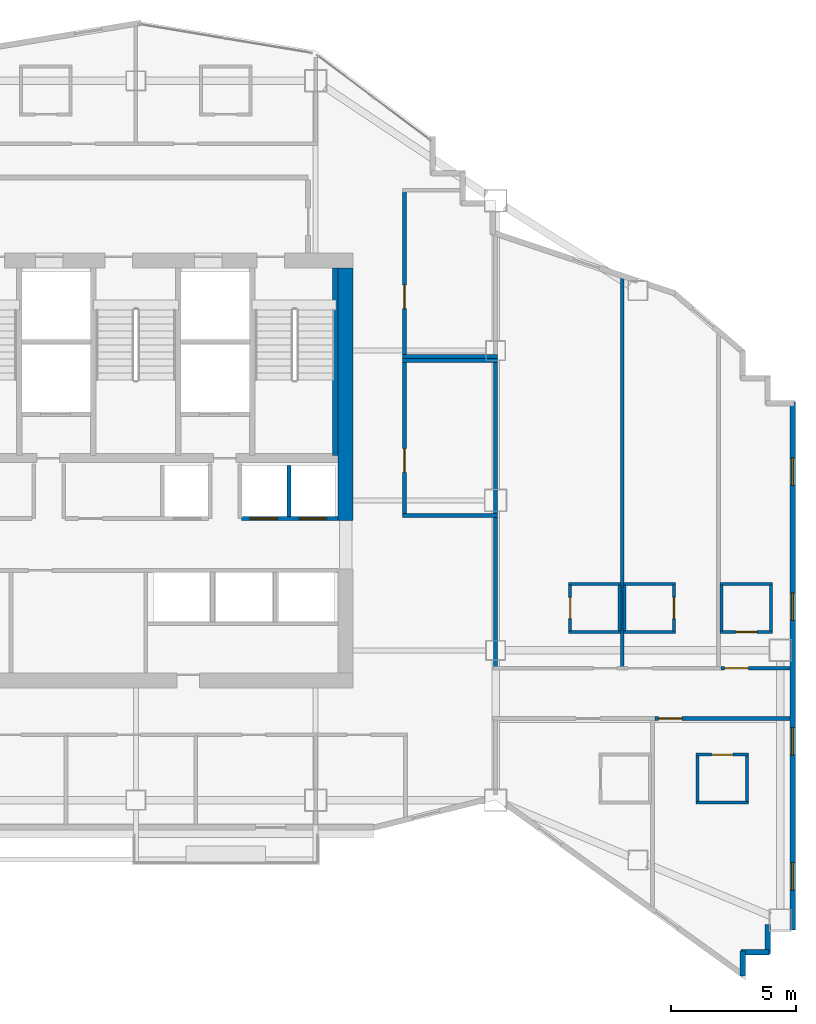
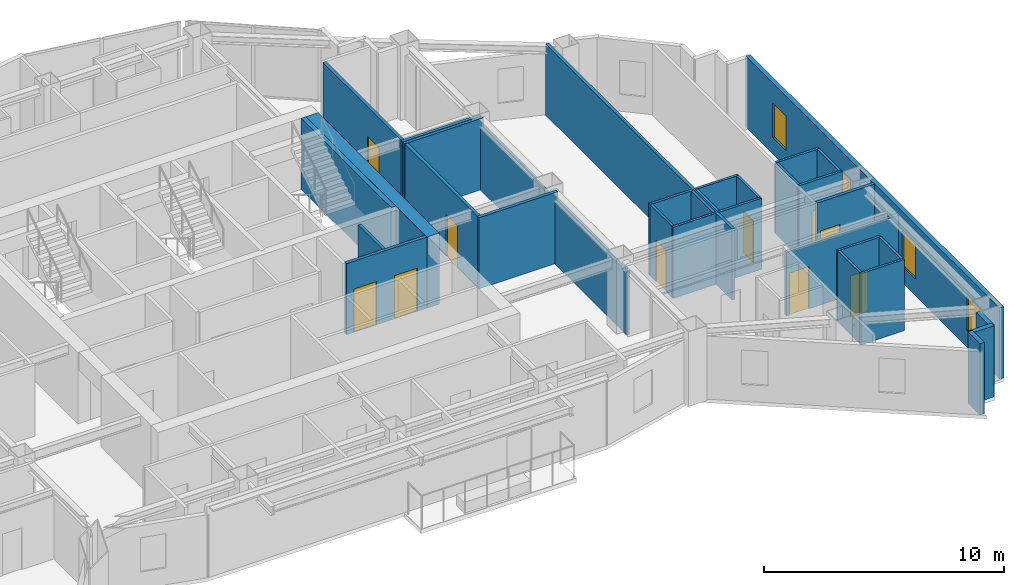
# One storey, part 8 of 11: 34 walls, 10 doors, 4 windows, 14 openings.
"""IFC4 building model written with IfcOpenShell, lengths in metres."""

from ifc_helpers import new_model, si_unit, direction, frame, frame_2d, origin, place, context, subcontext, project, spatial, rectangle, extrude, material, layer, layer_set, type_object, element, fill, save


model = new_model("IFC4")

# Units and contexts
model_context = context("Model", 3, precision=1e-05, world=origin(), true_north=direction((0.0, 1.0)))
body_context = subcontext(model_context, "Body", "Model", "MODEL_VIEW")
ifc_project = project(units=[si_unit("LENGTHUNIT", "METRE"), si_unit("AREAUNIT", "SQUARE_METRE"), si_unit("VOLUMEUNIT", "CUBIC_METRE"), si_unit("PLANEANGLEUNIT", "RADIAN"), si_unit("MASSUNIT", "GRAM", prefix="KILO")], contexts=[model_context])

# Site, building, storey
site_placement = place(None, origin())
site = spatial("IfcSite", under=ifc_project, at=site_placement, CompositionType="ELEMENT")
building_placement = place(site_placement, origin())
building = spatial("IfcBuilding", under=site, at=building_placement, Name="Haolan Belvedere Tower", CompositionType="ELEMENT")
storey_placement = place(building_placement, frame((0.0, 0.0, 211.60009765625)))
storey = spatial("IfcBuildingStorey", under=building, at=storey_placement, Name="L53", CompositionType="ELEMENT", Elevation=211.60009765625)

# Walls
ifc_material_1 = material(Name="Concrete C60/75", Category="concrete")
ifc_layer_1 = layer(ifc_material_1, 0.60009765625, Name="Concrete C60/75")
ifc_layer_set_1 = layer_set([ifc_layer_1], Name="Concrete C60/75")
wall_type_1 = type_object("IfcWallType", Name="WL-CORE-600", PredefinedType="SHEAR", material=ifc_layer_set_1)
wall_1_placement = place(storey_placement, frame((46.800048828125, 32.800048828125, 0.0), z_axis=(0.0, 0.0, 1.0), x_axis=(0.0, 1.0, 0.0)))
element("IfcWall", 1, at=wall_1_placement, inside=storey, type_object=wall_type_1, Name="L53 central core shear wall EN", PredefinedType="SHEAR", context=body_context, shape_type="SweptSolid", body=[
    extrude(rectangle(XDim=10.099853515625, YDim=0.60009765625, at=frame_2d((5.0498046875, 0.0))), origin(), (0.0, 0.0, 1.0), 3.619873046875),
])
ifc_material_2 = material(Name="Precast concrete C40/50", Category="concrete")
ifc_layer_2 = layer(ifc_material_2, 0.219970703125, Name="Precast concrete C40/50")
ifc_layer_set_2 = layer_set([ifc_layer_2], Name="Precast concrete C40/50")
wall_type_2 = type_object("IfcWallType", Name="WL-EXT-220", PredefinedType="SOLIDWALL", material=ifc_layer_set_2)
wall_2_placement = place(storey_placement, frame((62.68994140625, 14.559814453125, 0.0), z_axis=(0.0, 0.0, 1.0), x_axis=(0.0, 1.0, 0.0)))
element("IfcWall", 2, at=wall_2_placement, inside=storey, type_object=wall_type_2, Name="L53 pale-metal exterior spandrel wall 4.1", PredefinedType="SOLIDWALL", context=body_context, shape_type="SweptSolid", body=[
    extrude(rectangle(XDim=1.005126953125, YDim=0.219970703125, at=frame_2d((0.50244140625, 0.0))), origin(), (0.0, 0.0, 1.0), 3.619873046875),
])
wall_3_placement = place(storey_placement, frame((62.635009765625, 15.510009765625, 0.0), z_axis=(0.0, 0.0, 1.0), x_axis=(1.0, 0.0, 0.0)))
element("IfcWall", 3, at=wall_3_placement, inside=storey, type_object=wall_type_2, Name="L53 pale-metal exterior spandrel wall 5.1", PredefinedType="SOLIDWALL", context=body_context, shape_type="SweptSolid", body=[
    extrude(rectangle(XDim=1.110107421875, YDim=0.219970703125, at=frame_2d((0.55517578125, 0.0))), origin(), (0.0, 0.0, 1.0), 3.619873046875),
])
wall_4_placement = place(storey_placement, frame((63.68994140625, 15.455078125, 0.0), z_axis=(0.0, 0.0, 1.0), x_axis=(0.0, 1.0, 0.0)))
element("IfcWall", 4, at=wall_4_placement, inside=storey, type_object=wall_type_2, Name="L53 pale-metal exterior spandrel wall 6.1", PredefinedType="SOLIDWALL", context=body_context, shape_type="SweptSolid", body=[
    extrude(rectangle(XDim=1.1650390625, YDim=0.219970703125, at=frame_2d((0.58251953125, 0.0))), origin(), (0.0, 0.0, 1.0), 3.619873046875),
])

# Wall, openings, windows
wall_5_placement = place(storey_placement, frame((64.68994140625, 16.39990234375, 0.0), z_axis=(0.0, 0.0, 1.0), x_axis=(0.0, 1.0, 0.0)))
wall_5 = element("IfcWall", 5, at=wall_5_placement, inside=storey, type_object=wall_type_2, Name="L53 pale-metal exterior spandrel wall 8.1", PredefinedType="SOLIDWALL", context=body_context, shape_type="SweptSolid", body=[
    extrude(rectangle(XDim=21.14501953125, YDim=0.219970703125, at=frame_2d((10.572509765625, 0.0))), origin(), (0.0, 0.0, 1.0), 3.619873046875),
])
opening_1_placement = place(wall_5_placement, frame((1.60009765625, 0.0, 0.85009765625)))
opening_1 = element("IfcOpeningElement", 6, at=opening_1_placement, cuts=wall_5, Name="Opening W-03", PredefinedType="OPENING", context=body_context, shape_type="SweptSolid", body=[
    extrude(rectangle(XDim=1.10009765625, YDim=1.75, at=frame_2d((0.550048828125, 0.875))), frame((0.0, 0.119873046875, 0.0), z_axis=(0.0, -1.0, 0.0), x_axis=(1.0, 0.0, 0.0)), (0.0, 0.0, 1.0), 0.239990234375),
])
opening_2_placement = place(wall_5_placement, frame((7.0, 0.0, 0.85009765625)))
opening_2 = element("IfcOpeningElement", 7, at=opening_2_placement, cuts=wall_5, Name="Opening W-03", PredefinedType="OPENING", context=body_context, shape_type="SweptSolid", body=[
    extrude(rectangle(XDim=1.10009765625, YDim=1.75, at=frame_2d((0.550048828125, 0.875))), frame((0.0, 0.119873046875, 0.0), z_axis=(0.0, -1.0, 0.0), x_axis=(1.0, 0.0, 0.0)), (0.0, 0.0, 1.0), 0.239990234375),
])
opening_3_placement = place(wall_5_placement, frame((12.39990234375, 0.0, 0.85009765625)))
opening_3 = element("IfcOpeningElement", 8, at=opening_3_placement, cuts=wall_5, Name="Opening W-03", PredefinedType="OPENING", context=body_context, shape_type="SweptSolid", body=[
    extrude(rectangle(XDim=1.10009765625, YDim=1.75, at=frame_2d((0.550048828125, 0.875))), frame((0.0, 0.119873046875, 0.0), z_axis=(0.0, -1.0, 0.0), x_axis=(1.0, 0.0, 0.0)), (0.0, 0.0, 1.0), 0.239990234375),
])
opening_4_placement = place(wall_5_placement, frame((17.800048828125, 0.0, 0.85009765625)))
opening_4 = element("IfcOpeningElement", 9, at=opening_4_placement, cuts=wall_5, Name="Opening W-03", PredefinedType="OPENING", context=body_context, shape_type="SweptSolid", body=[
    extrude(rectangle(XDim=1.10009765625, YDim=1.75, at=frame_2d((0.550048828125, 0.875))), frame((0.0, 0.119873046875, 0.0), z_axis=(0.0, -1.0, 0.0), x_axis=(1.0, 0.0, 0.0)), (0.0, 0.0, 1.0), 0.239990234375),
])
ifc_material_3 = material(Name="Anodised aluminium 6063-T6 and Low-E glass", Category="aluminium")
window_type = type_object("IfcWindowType", Name="WN-DECO-Z3", PartitioningType="SINGLE_PANEL", PredefinedType="WINDOW", material=ifc_material_3)
window_1_placement = place(opening_1_placement, origin())
window_1 = element("IfcWindow", 10, at=window_1_placement, inside=storey, type_object=window_type, Name="L53 Art Deco chevron window 1", OverallHeight=1.75, OverallWidth=1.10009765625, PartitioningType="SINGLE_PANEL", PredefinedType="WINDOW", context=body_context, shape_type="SweptSolid", body=[
    extrude(rectangle(XDim=1.10009765625, YDim=1.75, at=frame_2d((0.550048828125, 0.875))), frame((0.0, 0.030029296875, 0.0), z_axis=(0.0, -1.0, 0.0), x_axis=(1.0, 0.0, 0.0)), (0.0, 0.0, 1.0), 0.06005859375),
])
fill(opening_1, window_1)
window_2_placement = place(opening_2_placement, origin())
window_2 = element("IfcWindow", 11, at=window_2_placement, inside=storey, type_object=window_type, Name="L53 Art Deco chevron window 2", OverallHeight=1.75, OverallWidth=1.10009765625, PartitioningType="SINGLE_PANEL", PredefinedType="WINDOW", context=body_context, shape_type="SweptSolid", body=[
    extrude(rectangle(XDim=1.10009765625, YDim=1.75, at=frame_2d((0.550048828125, 0.875))), frame((0.0, 0.030029296875, 0.0), z_axis=(0.0, -1.0, 0.0), x_axis=(1.0, 0.0, 0.0)), (0.0, 0.0, 1.0), 0.06005859375),
])
fill(opening_2, window_2)
window_3_placement = place(opening_3_placement, origin())
window_3 = element("IfcWindow", 12, at=window_3_placement, inside=storey, type_object=window_type, Name="L53 Art Deco chevron window 3", OverallHeight=1.75, OverallWidth=1.10009765625, PartitioningType="SINGLE_PANEL", PredefinedType="WINDOW", context=body_context, shape_type="SweptSolid", body=[
    extrude(rectangle(XDim=1.10009765625, YDim=1.75, at=frame_2d((0.550048828125, 0.875))), frame((0.0, 0.030029296875, 0.0), z_axis=(0.0, -1.0, 0.0), x_axis=(1.0, 0.0, 0.0)), (0.0, 0.0, 1.0), 0.06005859375),
])
fill(opening_3, window_3)
window_4_placement = place(opening_4_placement, origin())
window_4 = element("IfcWindow", 13, at=window_4_placement, inside=storey, type_object=window_type, Name="L53 Art Deco chevron window 4", OverallHeight=1.75, OverallWidth=1.10009765625, PartitioningType="SINGLE_PANEL", PredefinedType="WINDOW", context=body_context, shape_type="SweptSolid", body=[
    extrude(rectangle(XDim=1.10009765625, YDim=1.75, at=frame_2d((0.550048828125, 0.875))), frame((0.0, 0.030029296875, 0.0), z_axis=(0.0, -1.0, 0.0), x_axis=(1.0, 0.0, 0.0)), (0.0, 0.0, 1.0), 0.06005859375),
])
fill(opening_4, window_4)

# Walls
ifc_material_4 = material(Name="Double gypsum acoustic stud partition", Category="masonry")
ifc_layer_3 = layer(ifc_material_4, 0.14990234375, Name="Double gypsum acoustic stud partition")
ifc_layer_set_3 = layer_set([ifc_layer_3], Name="Double gypsum acoustic stud partition")
wall_type_3 = type_object("IfcWallType", Name="WL-PART-150", PredefinedType="PARTITIONING", material=ifc_layer_set_3)
for number, where, z_axis, x_axis, name in (
    (14, (49.080078125, 39.199951171875, 0.0), (0.0, 0.0, 1.0), (1.0, 0.0, 0.0), "L53 interior partition IW-L53-HSK-N"),
    (15, (49.080078125, 33.0, 0.0), (0.0, 0.0, 1.0), (1.0, 0.0, 0.0), "L53 interior partition IW-L53-HSK-S"),
):
    element("IfcWall", number, at=place(storey_placement, frame(where, z_axis=z_axis, x_axis=x_axis)), inside=storey, type_object=wall_type_3, Name=name, PredefinedType="PARTITIONING", context=body_context, shape_type="SweptSolid", body=[
        extrude(rectangle(XDim=3.7998046875, YDim=0.14990234375, at=frame_2d((1.89990234375, 0.0))), origin(), (0.0, 0.0, 1.0), 3.619873046875),
    ])

# Wall, opening, door
wall_6_placement = place(storey_placement, frame((49.159912109375, 33.06005859375, 0.0), z_axis=(0.0, 0.0, 1.0), x_axis=(0.0, 1.0, 0.0)))
wall_6 = element("IfcWall", 16, at=wall_6_placement, inside=storey, type_object=wall_type_3, Name="L53 interior partition IW-L53-HSK-W", PredefinedType="PARTITIONING", context=body_context, shape_type="SweptSolid", body=[
    extrude(rectangle(XDim=6.079833984375, YDim=0.14990234375, at=frame_2d((3.0400390625, 0.0))), origin(), (0.0, 0.0, 1.0), 3.619873046875),
])
opening_5_placement = place(wall_6_placement, frame((1.659912109375, 0.0, 0.0)))
opening_5 = element("IfcOpeningElement", 17, at=opening_5_placement, cuts=wall_6, Name="Opening ID-03", PredefinedType="OPENING", context=body_context, shape_type="SweptSolid", body=[
    extrude(rectangle(XDim=0.949951171875, YDim=2.1201171875, at=frame_2d((0.47509765625, 1.06005859375))), frame((0.0, 0.0849609375, 0.0), z_axis=(0.0, -1.0, 0.0), x_axis=(1.0, 0.0, 0.0)), (0.0, 0.0, 1.0), 0.169921875),
])
ifc_material_5 = material(Name="Painted solid-core timber", Category="wood")
door_type_1 = type_object("IfcDoorType", Name="DR-INT-950", OperationType="NOTDEFINED", PredefinedType="DOOR", material=ifc_material_5)
door_1_placement = place(opening_5_placement, origin())
door_1 = element("IfcDoor", 18, at=door_1_placement, inside=storey, type_object=door_type_1, Name="L53 door ID-L53-HSK", OperationType="SINGLE_SWING_RIGHT", OverallHeight=2.1201171875, OverallWidth=0.949951171875, PredefinedType="DOOR", context=body_context, shape_type="SweptSolid", body=[
    extrude(rectangle(XDim=0.949951171875, YDim=2.1201171875, at=frame_2d((0.47509765625, 1.06005859375))), frame((0.0, 0.02490234375, 0.0), z_axis=(0.0, -1.0, 0.0), x_axis=(1.0, 0.0, 0.0)), (0.0, 0.0, 1.0), 0.050048828125),
])
fill(opening_5, door_1)

# Walls
wall_7_placement = place(storey_placement, frame((52.800048828125, 33.06005859375, 0.0), z_axis=(0.0, 0.0, 1.0), x_axis=(0.0, 1.0, 0.0)))
element("IfcWall", 19, at=wall_7_placement, inside=storey, type_object=wall_type_3, Name="L53 interior partition IW-L53-HSK-E", PredefinedType="PARTITIONING", context=body_context, shape_type="SweptSolid", body=[
    extrude(rectangle(XDim=6.079833984375, YDim=0.14990234375, at=frame_2d((3.0400390625, 0.0))), origin(), (0.0, 0.0, 1.0), 3.21484375),
])
wall_8_placement = place(storey_placement, frame((49.080078125, 39.360107421875, 0.0), z_axis=(0.0, 0.0, 1.0), x_axis=(1.0, 0.0, 0.0)))
element("IfcWall", 20, at=wall_8_placement, inside=storey, type_object=wall_type_3, Name="L53 interior partition IW-L53-MTG-S", PredefinedType="PARTITIONING", context=body_context, shape_type="SweptSolid", body=[
    extrude(rectangle(XDim=3.7998046875, YDim=0.14990234375, at=frame_2d((1.89990234375, 0.0))), origin(), (0.0, 0.0, 1.0), 3.619873046875),
])

# Wall, opening, door
wall_9_placement = place(storey_placement, frame((49.159912109375, 39.419921875, 0.0), z_axis=(0.0, 0.0, 1.0), x_axis=(0.0, 1.0, 0.0)))
wall_9 = element("IfcWall", 21, at=wall_9_placement, inside=storey, type_object=wall_type_3, Name="L53 interior partition IW-L53-MTG-W", PredefinedType="PARTITIONING", context=body_context, shape_type="SweptSolid", body=[
    extrude(rectangle(XDim=6.5400390625, YDim=0.14990234375, at=frame_2d((3.27001953125, 0.0))), origin(), (0.0, 0.0, 1.0), 3.619873046875),
])
opening_6_placement = place(wall_9_placement, frame((1.860107421875, 0.0, 0.0)))
opening_6 = element("IfcOpeningElement", 22, at=opening_6_placement, cuts=wall_9, Name="Opening ID-03", PredefinedType="OPENING", context=body_context, shape_type="SweptSolid", body=[
    extrude(rectangle(XDim=0.949951171875, YDim=2.1201171875, at=frame_2d((0.47509765625, 1.06005859375))), frame((0.0, 0.0849609375, 0.0), z_axis=(0.0, -1.0, 0.0), x_axis=(1.0, 0.0, 0.0)), (0.0, 0.0, 1.0), 0.169921875),
])
door_2_placement = place(opening_6_placement, origin())
door_2 = element("IfcDoor", 23, at=door_2_placement, inside=storey, type_object=door_type_1, Name="L53 door ID-L53-MTG", OperationType="SINGLE_SWING_LEFT", OverallHeight=2.1201171875, OverallWidth=0.949951171875, PredefinedType="DOOR", context=body_context, shape_type="SweptSolid", body=[
    extrude(rectangle(XDim=0.949951171875, YDim=2.1201171875, at=frame_2d((0.47509765625, 1.06005859375))), frame((0.0, 0.02490234375, 0.0), z_axis=(0.0, -1.0, 0.0), x_axis=(1.0, 0.0, 0.0)), (0.0, 0.0, 1.0), 0.050048828125),
])
fill(opening_6, door_2)

# Walls
wall_10_placement = place(storey_placement, frame((52.800048828125, 26.93994140625, 0.0), z_axis=(0.0, 0.0, 1.0), x_axis=(0.0, 1.0, 0.0)))
element("IfcWall", 24, at=wall_10_placement, inside=storey, type_object=wall_type_3, Name="L53 interior partition IW-L53-T4N1-W", PredefinedType="PARTITIONING", context=body_context, shape_type="SweptSolid", body=[
    extrude(rectangle(XDim=6.0, YDim=0.14990234375, at=frame_2d((3.0, 0.0))), origin(), (0.0, 0.0, 1.0), 3.21484375),
])
wall_11_placement = place(storey_placement, frame((57.8701171875, 26.93994140625, 0.0), z_axis=(0.0, 0.0, 1.0), x_axis=(0.0, 1.0, 0.0)))
element("IfcWall", 25, at=wall_11_placement, inside=storey, type_object=wall_type_3, Name="L53 interior partition IW-L53-T4N1-E", PredefinedType="PARTITIONING", context=body_context, shape_type="SweptSolid", body=[
    extrude(rectangle(XDim=15.546630859375, YDim=0.14990234375, at=frame_2d((7.7734375, 0.0))), origin(), (0.0, 0.0, 1.0), 3.619873046875),
])

# Wall, opening, door
wall_12_placement = place(storey_placement, frame((61.83203125, 26.8798828125, 0.0), z_axis=(0.0, 0.0, 1.0), x_axis=(1.0, 0.0, 0.0)))
wall_12 = element("IfcWall", 26, at=wall_12_placement, inside=storey, type_object=wall_type_3, Name="L53 interior partition IW-L53-T4N3-S", PredefinedType="PARTITIONING", context=body_context, shape_type="SweptSolid", body=[
    extrude(rectangle(XDim=2.755859375, YDim=0.14990234375, at=frame_2d((1.3779296875, 0.0))), origin(), (0.0, 0.0, 1.0), 3.619873046875),
])
opening_7_placement = place(wall_12_placement, frame((0.139892578125, 0.0, 0.0)))
opening_7 = element("IfcOpeningElement", 27, at=opening_7_placement, cuts=wall_12, Name="Opening ID-02", PredefinedType="OPENING", context=body_context, shape_type="SweptSolid", body=[
    extrude(rectangle(XDim=0.949951171875, YDim=2.14990234375, at=frame_2d((0.47509765625, 1.074951171875))), frame((0.0, 0.0849609375, 0.0), z_axis=(0.0, -1.0, 0.0), x_axis=(1.0, 0.0, 0.0)), (0.0, 0.0, 1.0), 0.169921875),
])
ifc_material_6 = material(Name="Acoustic oak veneer fire-rated timber", Category="wood")
door_type_2 = type_object("IfcDoorType", Name="DR-GUEST-950", OperationType="NOTDEFINED", PredefinedType="DOOR", material=ifc_material_6)
door_3_placement = place(opening_7_placement, origin())
door_3 = element("IfcDoor", 28, at=door_3_placement, inside=storey, type_object=door_type_2, Name="L53 door ID-L53-T4N3-ENT", OperationType="SINGLE_SWING_RIGHT", OverallHeight=2.14990234375, OverallWidth=0.949951171875, PredefinedType="DOOR", context=body_context, shape_type="SweptSolid", body=[
    extrude(rectangle(XDim=0.949951171875, YDim=2.14990234375, at=frame_2d((0.47509765625, 1.074951171875))), frame((0.0, 0.02490234375, 0.0), z_axis=(0.0, -1.0, 0.0), x_axis=(1.0, 0.0, 0.0)), (0.0, 0.0, 1.0), 0.050048828125),
])
fill(opening_7, door_3)

wall_13_placement = place(storey_placement, frame((59.181884765625, 24.8701171875, 0.0), z_axis=(0.0, 0.0, 1.0), x_axis=(1.0, 0.0, 0.0)))
wall_13 = element("IfcWall", 29, at=wall_13_placement, inside=storey, type_object=wall_type_3, Name="L53 interior partition IW-L53-T4S2-N", PredefinedType="PARTITIONING", context=body_context, shape_type="SweptSolid", body=[
    extrude(rectangle(XDim=5.406005859375, YDim=0.14990234375, at=frame_2d((2.703125, 0.0))), origin(), (0.0, 0.0, 1.0), 3.2548828125),
])
opening_8_placement = place(wall_13_placement, frame((1.08984375, 0.0, 0.0), z_axis=(0.0, 0.0, 1.0), x_axis=(-1.0, 0.0, 0.0)))
opening_8 = element("IfcOpeningElement", 30, at=opening_8_placement, cuts=wall_13, Name="Opening ID-02", PredefinedType="OPENING", context=body_context, shape_type="SweptSolid", body=[
    extrude(rectangle(XDim=0.949951171875, YDim=2.14990234375, at=frame_2d((0.47509765625, 1.074951171875))), frame((0.0, 0.0849609375, 0.0), z_axis=(0.0, -1.0, 0.0), x_axis=(1.0, 0.0, 0.0)), (0.0, 0.0, 1.0), 0.169921875),
])
door_4_placement = place(opening_8_placement, origin())
door_4 = element("IfcDoor", 31, at=door_4_placement, inside=storey, type_object=door_type_2, Name="L53 door ID-L53-T4S2-ENT", OperationType="SINGLE_SWING_RIGHT", OverallHeight=2.14990234375, OverallWidth=0.949951171875, PredefinedType="DOOR", context=body_context, shape_type="SweptSolid", body=[
    extrude(rectangle(XDim=0.949951171875, YDim=2.14990234375, at=frame_2d((0.47509765625, 1.074951171875))), frame((0.0, 0.02490234375, 0.0), z_axis=(0.0, -1.0, 0.0), x_axis=(1.0, 0.0, 0.0)), (0.0, 0.0, 1.0), 0.050048828125),
])
fill(opening_8, door_4)

# Wall, openings, doors
ifc_material_7 = material(Name="Gypsum fire shaftwall assembly", Category="masonry")
ifc_layer_4 = layer(ifc_material_7, 0.1650390625, Name="Gypsum fire shaftwall assembly")
ifc_layer_set_4 = layer_set([ifc_layer_4], Name="Gypsum fire shaftwall assembly")
wall_type_4 = type_object("IfcWallType", Name="WL-SHAFT-160", PredefinedType="SOLIDWALL", material=ifc_layer_set_4)
wall_14_placement = place(storey_placement, frame((42.6298828125, 32.8798828125, 0.0), z_axis=(0.0, 0.0, 1.0), x_axis=(1.0, 0.0, 0.0)))
wall_14 = element("IfcWall", 32, at=wall_14_placement, inside=storey, type_object=wall_type_4, Name="L53 interior partition IW-L53-ROW-PN3", PredefinedType="SOLIDWALL", context=body_context, shape_type="SweptSolid", body=[
    extrude(rectangle(XDim=3.8701171875, YDim=0.159912109375, at=frame_2d((1.93505859375, 0.0))), origin(), (0.0, 0.0, 1.0), 3.619873046875),
])
opening_9_placement = place(wall_14_placement, frame((1.4501953125, 0.0, 0.0), z_axis=(0.0, 0.0, 1.0), x_axis=(-1.0, 0.0, 0.0)))
opening_9 = element("IfcOpeningElement", 33, at=opening_9_placement, cuts=wall_14, Name="Opening LD-01", PredefinedType="OPENING", context=body_context, shape_type="SweptSolid", body=[
    extrude(rectangle(XDim=1.10009765625, YDim=2.199951171875, at=frame_2d((0.550048828125, 1.10009765625))), frame((0.0, 0.08984375, 0.0), z_axis=(0.0, -1.0, 0.0), x_axis=(1.0, 0.0, 0.0)), (0.0, 0.0, 1.0), 0.179931640625),
])
opening_10_placement = place(wall_14_placement, frame((3.41015625, 0.0, 0.0), z_axis=(0.0, 0.0, 1.0), x_axis=(-1.0, 0.0, 0.0)))
opening_10 = element("IfcOpeningElement", 34, at=opening_10_placement, cuts=wall_14, Name="Opening LD-01", PredefinedType="OPENING", context=body_context, shape_type="SweptSolid", body=[
    extrude(rectangle(XDim=1.10009765625, YDim=2.199951171875, at=frame_2d((0.550048828125, 1.10009765625))), frame((0.0, 0.08984375, 0.0), z_axis=(0.0, -1.0, 0.0), x_axis=(1.0, 0.0, 0.0)), (0.0, 0.0, 1.0), 0.179931640625),
])
ifc_material_8 = material(Name="Brushed champagne stainless steel 316L", Category="steel")
door_type_3 = type_object("IfcDoorType", Name="DR-LIFT-1100", OperationType="SLIDING_TO_LEFT", PredefinedType="DOOR", material=ifc_material_8)
door_5_placement = place(opening_9_placement, origin())
door_5 = element("IfcDoor", 35, at=door_5_placement, inside=storey, type_object=door_type_3, Name="L53 door ID-L53-LD-PH2", OperationType="SLIDING_TO_RIGHT", OverallHeight=2.199951171875, OverallWidth=1.10009765625, PredefinedType="DOOR", context=body_context, shape_type="SweptSolid", body=[
    extrude(rectangle(XDim=1.10009765625, YDim=2.199951171875, at=frame_2d((0.550048828125, 1.10009765625))), frame((0.0, 0.02490234375, 0.0), z_axis=(0.0, -1.0, 0.0), x_axis=(1.0, 0.0, 0.0)), (0.0, 0.0, 1.0), 0.050048828125),
])
fill(opening_9, door_5)
door_6_placement = place(opening_10_placement, origin())
door_6 = element("IfcDoor", 36, at=door_6_placement, inside=storey, type_object=door_type_3, Name="L53 door ID-L53-LD-PH3", OperationType="SLIDING_TO_RIGHT", OverallHeight=2.199951171875, OverallWidth=1.10009765625, PredefinedType="DOOR", context=body_context, shape_type="SweptSolid", body=[
    extrude(rectangle(XDim=1.10009765625, YDim=2.199951171875, at=frame_2d((0.550048828125, 1.10009765625))), frame((0.0, 0.02490234375, 0.0), z_axis=(0.0, -1.0, 0.0), x_axis=(1.0, 0.0, 0.0)), (0.0, 0.0, 1.0), 0.050048828125),
])
fill(opening_10, door_6)

# Walls
wall_15_placement = place(storey_placement, frame((44.530029296875, 32.949951171875, 0.0), z_axis=(0.0, 0.0, 1.0), x_axis=(0.0, 1.0, 0.0)))
element("IfcWall", 37, at=wall_15_placement, inside=storey, type_object=wall_type_4, Name="L53 interior partition IW-L53-DIV-PH2", PredefinedType="SOLIDWALL", context=body_context, shape_type="SweptSolid", body=[
    extrude(rectangle(XDim=2.050048828125, YDim=0.14990234375, at=frame_2d((1.02490234375, 0.0))), origin(), (0.0, 0.0, 1.0), 3.619873046875),
])
ifc_material_9 = material(Name="Concrete C50/60", Category="concrete")
ifc_layer_5 = layer(ifc_material_9, 0.219970703125, Name="Concrete C50/60")
ifc_layer_set_5 = layer_set([ifc_layer_5], Name="Concrete C50/60")
wall_type_5 = type_object("IfcWallType", Name="WL-STAIR-220", PredefinedType="SHEAR", material=ifc_layer_set_5)
wall_16_placement = place(storey_placement, frame((46.387939453125, 35.389892578125, 0.0), z_axis=(0.0, 0.0, 1.0), x_axis=(0.0, 1.0, 0.0)))
element("IfcWall", 38, at=wall_16_placement, inside=storey, type_object=wall_type_5, Name="L53 structural stair core wall ST2E", PredefinedType="SHEAR", context=body_context, shape_type="SweptSolid", body=[
    extrude(rectangle(XDim=7.510009765625, YDim=0.219970703125, at=frame_2d((3.7548828125, 0.0))), origin(), (0.0, 0.0, 1.0), 3.619873046875),
])
ifc_material_10 = material(Name="Moisture-resistant gypsum tile partition", Category="masonry")
ifc_layer_6 = layer(ifc_material_10, 0.1201171875, Name="Moisture-resistant gypsum tile partition")
ifc_layer_set_6 = layer_set([ifc_layer_6], Name="Moisture-resistant gypsum tile partition")
wall_type_6 = type_object("IfcWallType", Name="WL-WET-120", PredefinedType="PARTITIONING", material=ifc_layer_set_6)
for number, where, z_axis, x_axis, name in (
    (39, (55.72998046875, 30.25, 0.0), (0.0, 0.0, 1.0), (1.0, 0.0, 0.0), "L53 interior partition IW-L53-T4N1-BN"),
    (40, (55.72998046875, 28.330078125, 0.0), (0.0, 0.0, 1.0), (1.0, 0.0, 0.0), "L53 interior partition IW-L53-T4N1-BS"),
):
    element("IfcWall", number, at=place(storey_placement, frame(where, z_axis=z_axis, x_axis=x_axis)), inside=storey, type_object=wall_type_6, Name=name, PredefinedType="PARTITIONING", context=body_context, shape_type="SweptSolid", body=[
        extrude(rectangle(XDim=2.080078125, YDim=0.1201171875, at=frame_2d((1.0400390625, 0.0))), origin(), (0.0, 0.0, 1.0), 3.619873046875),
    ])

# Wall, opening, door
wall_17_placement = place(storey_placement, frame((55.7900390625, 28.375, 0.0), z_axis=(0.0, 0.0, 1.0), x_axis=(0.0, 1.0, 0.0)))
wall_17 = element("IfcWall", 41, at=wall_17_placement, inside=storey, type_object=wall_type_6, Name="L53 interior partition IW-L53-T4N1-BW", PredefinedType="PARTITIONING", context=body_context, shape_type="SweptSolid", body=[
    extrude(rectangle(XDim=1.830078125, YDim=0.1201171875, at=frame_2d((0.9150390625, 0.0))), origin(), (0.0, 0.0, 1.0), 3.619873046875),
])
opening_11_placement = place(wall_17_placement, frame((1.340087890625, 0.0, 0.0), z_axis=(0.0, 0.0, 1.0), x_axis=(-1.0, 0.0, 0.0)))
opening_11 = element("IfcOpeningElement", 42, at=opening_11_placement, cuts=wall_17, Name="Opening ID-05", PredefinedType="OPENING", context=body_context, shape_type="SweptSolid", body=[
    extrude(rectangle(XDim=0.85009765625, YDim=2.10009765625, at=frame_2d((0.425048828125, 1.050048828125))), frame((0.0, 0.070068359375, 0.0), z_axis=(0.0, -1.0, 0.0), x_axis=(1.0, 0.0, 0.0)), (0.0, 0.0, 1.0), 0.14013671875),
])
ifc_material_11 = material(Name="Moisture-resistant lacquered timber", Category="wood")
door_type_4 = type_object("IfcDoorType", Name="DR-BATH-850", OperationType="NOTDEFINED", PredefinedType="DOOR", material=ifc_material_11)
door_7_placement = place(opening_11_placement, origin())
door_7 = element("IfcDoor", 43, at=door_7_placement, inside=storey, type_object=door_type_4, Name="L53 door ID-L53-T4N1-BATH", OperationType="SINGLE_SWING_LEFT", OverallHeight=2.10009765625, OverallWidth=0.85009765625, PredefinedType="DOOR", context=body_context, shape_type="SweptSolid", body=[
    extrude(rectangle(XDim=0.85009765625, YDim=2.10009765625, at=frame_2d((0.425048828125, 1.050048828125))), frame((0.0, 0.02490234375, 0.0), z_axis=(0.0, -1.0, 0.0), x_axis=(1.0, 0.0, 0.0)), (0.0, 0.0, 1.0), 0.050048828125),
])
fill(opening_11, door_7)

# Walls
wall_18_placement = place(storey_placement, frame((57.77001953125, 28.375, 0.0), z_axis=(0.0, 0.0, 1.0), x_axis=(0.0, 1.0, 0.0)))
element("IfcWall", 44, at=wall_18_placement, inside=storey, type_object=wall_type_6, Name="L53 interior partition IW-L53-T4N1-BE", PredefinedType="PARTITIONING", context=body_context, shape_type="SweptSolid", body=[
    extrude(rectangle(XDim=1.830078125, YDim=0.1201171875, at=frame_2d((0.9150390625, 0.0))), origin(), (0.0, 0.0, 1.0), 3.619873046875),
])
for number, where, z_axis, x_axis, name in (
    (45, (57.929931640625, 30.25, 0.0), (0.0, 0.0, 1.0), (1.0, 0.0, 0.0), "L53 interior partition IW-L53-T4N2-BN"),
    (46, (57.929931640625, 28.330078125, 0.0), (0.0, 0.0, 1.0), (1.0, 0.0, 0.0), "L53 interior partition IW-L53-T4N2-BS"),
):
    element("IfcWall", number, at=place(storey_placement, frame(where, z_axis=z_axis, x_axis=x_axis)), inside=storey, type_object=wall_type_6, Name=name, PredefinedType="PARTITIONING", context=body_context, shape_type="SweptSolid", body=[
        extrude(rectangle(XDim=2.080078125, YDim=0.1201171875, at=frame_2d((1.0400390625, 0.0))), origin(), (0.0, 0.0, 1.0), 3.619873046875),
    ])
wall_19_placement = place(storey_placement, frame((57.969970703125, 28.375, 0.0), z_axis=(0.0, 0.0, 1.0), x_axis=(0.0, 1.0, 0.0)))
element("IfcWall", 47, at=wall_19_placement, inside=storey, type_object=wall_type_6, Name="L53 interior partition IW-L53-T4N2-BW", PredefinedType="PARTITIONING", context=body_context, shape_type="SweptSolid", body=[
    extrude(rectangle(XDim=1.830078125, YDim=0.1201171875, at=frame_2d((0.9150390625, 0.0))), origin(), (0.0, 0.0, 1.0), 3.619873046875),
])

# Wall, opening, door
wall_20_placement = place(storey_placement, frame((59.949951171875, 28.375, 0.0), z_axis=(0.0, 0.0, 1.0), x_axis=(0.0, 1.0, 0.0)))
wall_20 = element("IfcWall", 48, at=wall_20_placement, inside=storey, type_object=wall_type_6, Name="L53 interior partition IW-L53-T4N2-BE", PredefinedType="PARTITIONING", context=body_context, shape_type="SweptSolid", body=[
    extrude(rectangle(XDim=1.830078125, YDim=0.1201171875, at=frame_2d((0.9150390625, 0.0))), origin(), (0.0, 0.0, 1.0), 3.619873046875),
])
opening_12_placement = place(wall_20_placement, frame((0.489990234375, 0.0, 0.0)))
opening_12 = element("IfcOpeningElement", 49, at=opening_12_placement, cuts=wall_20, Name="Opening ID-05", PredefinedType="OPENING", context=body_context, shape_type="SweptSolid", body=[
    extrude(rectangle(XDim=0.85009765625, YDim=2.10009765625, at=frame_2d((0.425048828125, 1.050048828125))), frame((0.0, 0.070068359375, 0.0), z_axis=(0.0, -1.0, 0.0), x_axis=(1.0, 0.0, 0.0)), (0.0, 0.0, 1.0), 0.14013671875),
])
door_8_placement = place(opening_12_placement, origin())
door_8 = element("IfcDoor", 50, at=door_8_placement, inside=storey, type_object=door_type_4, Name="L53 door ID-L53-T4N2-BATH", OperationType="SINGLE_SWING_RIGHT", OverallHeight=2.10009765625, OverallWidth=0.85009765625, PredefinedType="DOOR", context=body_context, shape_type="SweptSolid", body=[
    extrude(rectangle(XDim=0.85009765625, YDim=2.10009765625, at=frame_2d((0.425048828125, 1.050048828125))), frame((0.0, 0.02490234375, 0.0), z_axis=(0.0, -1.0, 0.0), x_axis=(1.0, 0.0, 0.0)), (0.0, 0.0, 1.0), 0.050048828125),
])
fill(opening_12, door_8)

# Wall
wall_21_placement = place(storey_placement, frame((61.7900390625, 30.25, 0.0), z_axis=(0.0, 0.0, 1.0), x_axis=(1.0, 0.0, 0.0)))
element("IfcWall", 51, at=wall_21_placement, inside=storey, type_object=wall_type_6, Name="L53 interior partition IW-L53-T4N3-BN", PredefinedType="PARTITIONING", context=body_context, shape_type="SweptSolid", body=[
    extrude(rectangle(XDim=2.094970703125, YDim=0.1201171875, at=frame_2d((1.04736328125, 0.0))), origin(), (0.0, 0.0, 1.0), 3.619873046875),
])

# Wall, opening, door
wall_22_placement = place(storey_placement, frame((61.7900390625, 28.330078125, 0.0), z_axis=(0.0, 0.0, 1.0), x_axis=(1.0, 0.0, 0.0)))
wall_22 = element("IfcWall", 52, at=wall_22_placement, inside=storey, type_object=wall_type_6, Name="L53 interior partition IW-L53-T4N3-BS", PredefinedType="PARTITIONING", context=body_context, shape_type="SweptSolid", body=[
    extrude(rectangle(XDim=2.094970703125, YDim=0.1201171875, at=frame_2d((1.04736328125, 0.0))), origin(), (0.0, 0.0, 1.0), 3.619873046875),
])
opening_13_placement = place(wall_22_placement, frame((0.6201171875, 0.0, 0.0)))
opening_13 = element("IfcOpeningElement", 53, at=opening_13_placement, cuts=wall_22, Name="Opening ID-05", PredefinedType="OPENING", context=body_context, shape_type="SweptSolid", body=[
    extrude(rectangle(XDim=0.85009765625, YDim=2.10009765625, at=frame_2d((0.425048828125, 1.050048828125))), frame((0.0, 0.070068359375, 0.0), z_axis=(0.0, -1.0, 0.0), x_axis=(1.0, 0.0, 0.0)), (0.0, 0.0, 1.0), 0.14013671875),
])
door_9_placement = place(opening_13_placement, origin())
door_9 = element("IfcDoor", 54, at=door_9_placement, inside=storey, type_object=door_type_4, Name="L53 door ID-L53-T4N3-BATH", OperationType="SINGLE_SWING_LEFT", OverallHeight=2.10009765625, OverallWidth=0.85009765625, PredefinedType="DOOR", context=body_context, shape_type="SweptSolid", body=[
    extrude(rectangle(XDim=0.85009765625, YDim=2.10009765625, at=frame_2d((0.425048828125, 1.050048828125))), frame((0.0, 0.02490234375, 0.0), z_axis=(0.0, -1.0, 0.0), x_axis=(1.0, 0.0, 0.0)), (0.0, 0.0, 1.0), 0.050048828125),
])
fill(opening_13, door_9)

# Walls
for number, where, z_axis, x_axis, name in (
    (55, (61.844970703125, 28.375, 0.0), (0.0, 0.0, 1.0), (0.0, 1.0, 0.0), "L53 interior partition IW-L53-T4N3-BW"),
    (56, (63.824951171875, 28.375, 0.0), (0.0, 0.0, 1.0), (0.0, 1.0, 0.0), "L53 interior partition IW-L53-T4N3-BE"),
):
    element("IfcWall", number, at=place(storey_placement, frame(where, z_axis=z_axis, x_axis=x_axis)), inside=storey, type_object=wall_type_6, Name=name, PredefinedType="PARTITIONING", context=body_context, shape_type="SweptSolid", body=[
        extrude(rectangle(XDim=1.830078125, YDim=0.1201171875, at=frame_2d((0.9150390625, 0.0))), origin(), (0.0, 0.0, 1.0), 3.619873046875),
    ])

# Wall, opening, door
wall_23_placement = place(storey_placement, frame((60.824951171875, 23.419921875, 0.0), z_axis=(0.0, 0.0, 1.0), x_axis=(1.0, 0.0, 0.0)))
wall_23 = element("IfcWall", 57, at=wall_23_placement, inside=storey, type_object=wall_type_6, Name="L53 interior partition IW-L53-T4S2-BN", PredefinedType="PARTITIONING", context=body_context, shape_type="SweptSolid", body=[
    extrude(rectangle(XDim=2.10009765625, YDim=0.1201171875, at=frame_2d((1.050048828125, 0.0))), origin(), (0.0, 0.0, 1.0), 3.619873046875),
])
opening_14_placement = place(wall_23_placement, frame((1.47509765625, 0.0, 0.0), z_axis=(0.0, 0.0, 1.0), x_axis=(-1.0, 0.0, 0.0)))
opening_14 = element("IfcOpeningElement", 58, at=opening_14_placement, cuts=wall_23, Name="Opening ID-05", PredefinedType="OPENING", context=body_context, shape_type="SweptSolid", body=[
    extrude(rectangle(XDim=0.85009765625, YDim=2.10009765625, at=frame_2d((0.425048828125, 1.050048828125))), frame((0.0, 0.070068359375, 0.0), z_axis=(0.0, -1.0, 0.0), x_axis=(1.0, 0.0, 0.0)), (0.0, 0.0, 1.0), 0.14013671875),
])
door_10_placement = place(opening_14_placement, origin())
door_10 = element("IfcDoor", 59, at=door_10_placement, inside=storey, type_object=door_type_4, Name="L53 door ID-L53-T4S2-BATH", OperationType="SINGLE_SWING_LEFT", OverallHeight=2.10009765625, OverallWidth=0.85009765625, PredefinedType="DOOR", context=body_context, shape_type="SweptSolid", body=[
    extrude(rectangle(XDim=0.85009765625, YDim=2.10009765625, at=frame_2d((0.425048828125, 1.050048828125))), frame((0.0, 0.02490234375, 0.0), z_axis=(0.0, -1.0, 0.0), x_axis=(1.0, 0.0, 0.0)), (0.0, 0.0, 1.0), 0.050048828125),
])
fill(opening_14, door_10)

# Walls
wall_24_placement = place(storey_placement, frame((60.824951171875, 21.5, 0.0), z_axis=(0.0, 0.0, 1.0), x_axis=(1.0, 0.0, 0.0)))
element("IfcWall", 60, at=wall_24_placement, inside=storey, type_object=wall_type_6, Name="L53 interior partition IW-L53-T4S2-BS", PredefinedType="PARTITIONING", context=body_context, shape_type="SweptSolid", body=[
    extrude(rectangle(XDim=2.10009765625, YDim=0.1201171875, at=frame_2d((1.050048828125, 0.0))), origin(), (0.0, 0.0, 1.0), 3.619873046875),
])
for number, where, z_axis, x_axis, name in (
    (61, (60.885009765625, 21.544921875, 0.0), (0.0, 0.0, 1.0), (0.0, 1.0, 0.0), "L53 interior partition IW-L53-T4S2-BW"),
    (62, (62.864990234375, 21.544921875, 0.0), (0.0, 0.0, 1.0), (0.0, 1.0, 0.0), "L53 interior partition IW-L53-T4S2-BE"),
):
    element("IfcWall", number, at=place(storey_placement, frame(where, z_axis=z_axis, x_axis=x_axis)), inside=storey, type_object=wall_type_6, Name=name, PredefinedType="PARTITIONING", context=body_context, shape_type="SweptSolid", body=[
        extrude(rectangle(XDim=1.830078125, YDim=0.1201171875, at=frame_2d((0.9150390625, 0.0))), origin(), (0.0, 0.0, 1.0), 3.619873046875),
    ])

save(model, "model.ifc")
